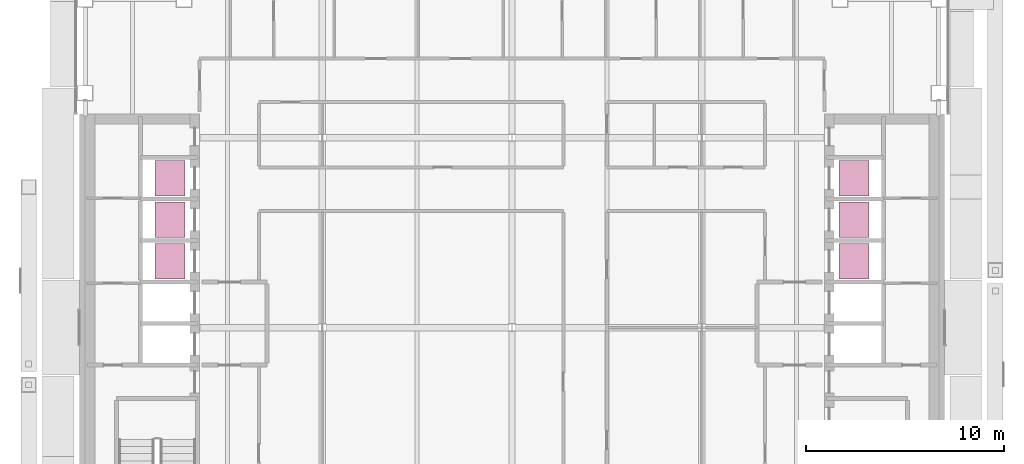
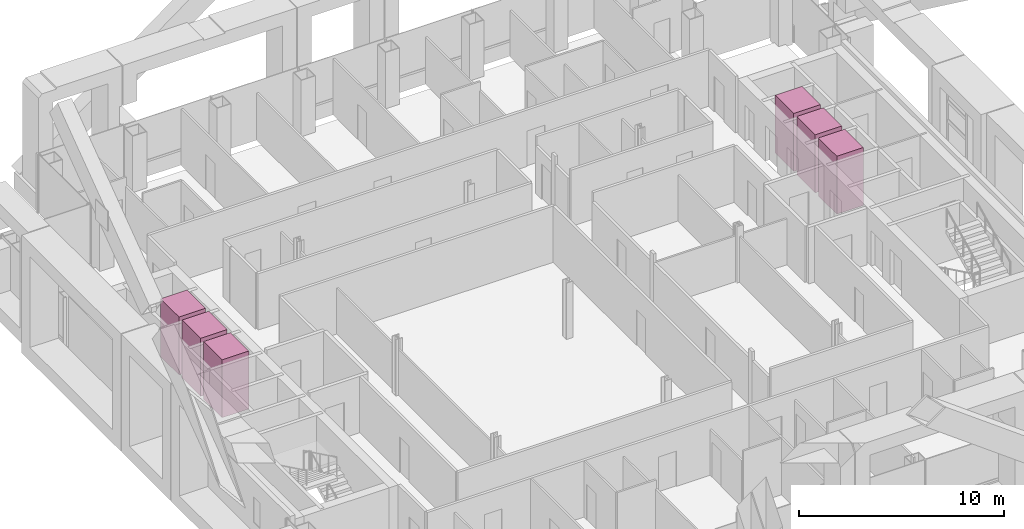
# One storey, part 22 of 22: 6 transport elements.
"""IFC4 building model written with IfcOpenShell, lengths in metres."""

from ifc_helpers import new_model, si_unit, direction, frame, origin, origin_2d, place, context, subcontext, project, spatial, rectangle, extrude, material, type_object, element, save


model = new_model("IFC4")

# Units and contexts
model_context = context("Model", 3, precision=1e-05, world=origin(), true_north=direction((0.0, 1.0)))
body_context = subcontext(model_context, "Body", "Model", "MODEL_VIEW")
ifc_project = project(units=[si_unit("LENGTHUNIT", "METRE"), si_unit("AREAUNIT", "SQUARE_METRE"), si_unit("VOLUMEUNIT", "CUBIC_METRE"), si_unit("PLANEANGLEUNIT", "RADIAN"), si_unit("MASSUNIT", "GRAM", prefix="KILO")], contexts=[model_context])

# Site, building, storey
site_placement = place(None, origin())
site = spatial("IfcSite", under=ifc_project, at=site_placement, CompositionType="ELEMENT")
building_placement = place(site_placement, origin())
building = spatial("IfcBuilding", under=site, at=building_placement, Name="Cobrizo Arcos Hotel Tower", CompositionType="ELEMENT")
storey_placement = place(building_placement, frame((0.0, 0.0, 162.0)))
storey = spatial("IfcBuildingStorey", under=building, at=storey_placement, Name="L41", CompositionType="ELEMENT", Elevation=162.0)

# Transport elements
ifc_material = material(Name="Stainless steel car", Category="steel")
transport_element_type = type_object("IfcTransportElementType", Name="Lift car High 1.8x1.5", PredefinedType="ELEVATOR", material=ifc_material)
for number, where, z_axis, x_axis, name in (
    (1, (-17.300048828125, 3.35009765625, 0.0), (0.0, 0.0, 1.0), (1.0, 0.0, 0.0), "High-rise passenger lift W1"),
    (2, (-17.300048828125, 5.449951171875, 0.0), (0.0, 0.0, 1.0), (1.0, 0.0, 0.0), "High-rise passenger lift W2"),
    (3, (-17.300048828125, 7.550048828125, 0.0), (0.0, 0.0, 1.0), (1.0, 0.0, 0.0), "High-rise passenger lift W3"),
    (4, (17.300048828125, 3.35009765625, 0.0), (0.0, 0.0, 1.0), (1.0, 0.0, 0.0), "High-rise passenger lift E1"),
    (5, (17.300048828125, 5.449951171875, 0.0), (0.0, 0.0, 1.0), (1.0, 0.0, 0.0), "High-rise passenger lift E2"),
    (6, (17.300048828125, 7.550048828125, 0.0), (0.0, 0.0, 1.0), (1.0, 0.0, 0.0), "High-rise passenger lift E3"),
):
    element("IfcTransportElement", number, at=place(storey_placement, frame(where, z_axis=z_axis, x_axis=x_axis)), inside=storey, type_object=transport_element_type, Name=name, PredefinedType="ELEVATOR", context=body_context, shape_type="SweptSolid", body=[
        extrude(rectangle(XDim=1.5, YDim=1.800048828125, at=origin_2d()), origin(), (0.0, 0.0, 1.0), 3.449951171875),
    ])

save(model, "model.ifc")
